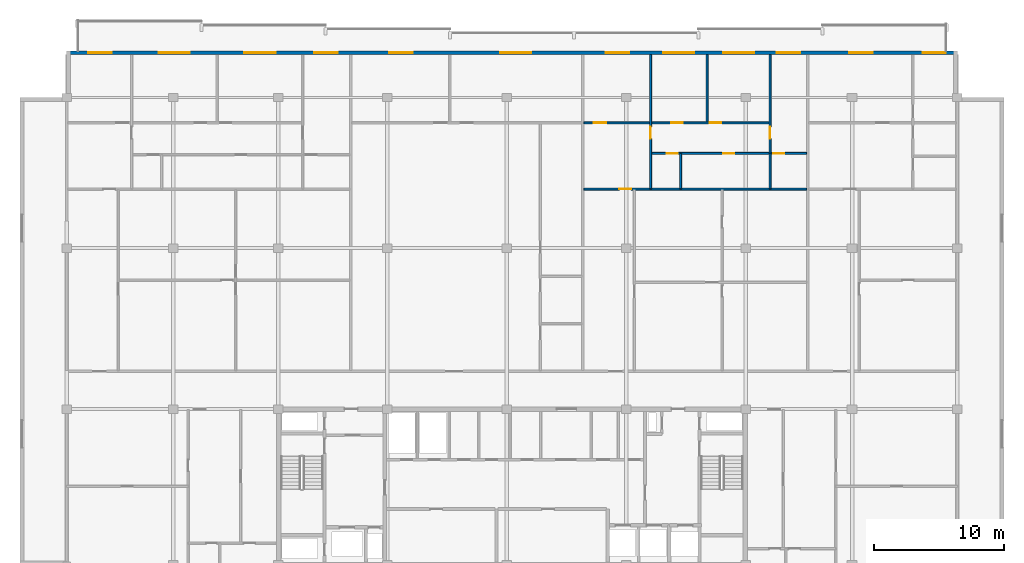
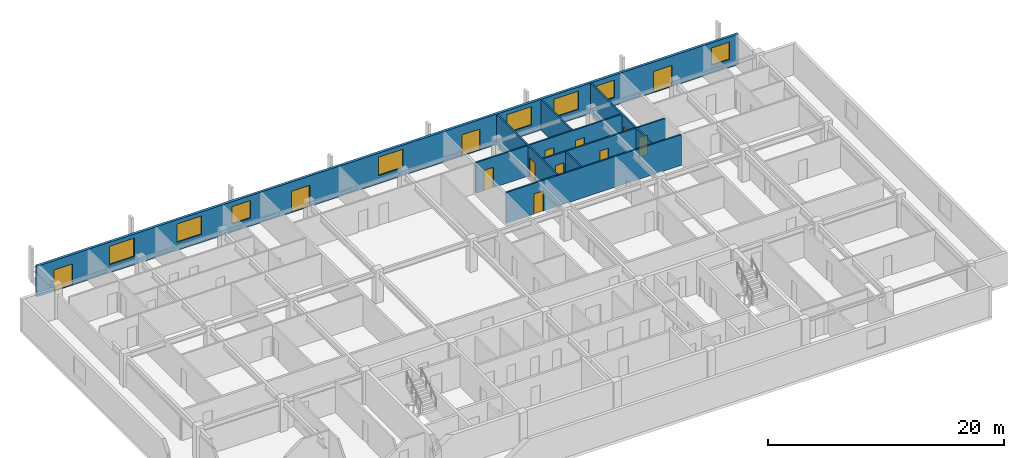
# One storey, part 7 of 10: 13 doors, 9 walls, 8 windows, 21 openings.
"""IFC4 building model written with IfcOpenShell, lengths in metres."""

from ifc_helpers import new_model, si_unit, direction, frame, frame_2d, origin, place, context, subcontext, project, spatial, rectangle, extrude, material, layer, layer_set, type_object, element, fill, save


model = new_model("IFC4")

# Units and contexts
model_context = context("Model", 3, precision=1e-05, world=origin(), true_north=direction((0.0, 1.0)))
body_context = subcontext(model_context, "Body", "Model", "MODEL_VIEW")
ifc_project = project(units=[si_unit("LENGTHUNIT", "METRE"), si_unit("AREAUNIT", "SQUARE_METRE"), si_unit("VOLUMEUNIT", "CUBIC_METRE"), si_unit("PLANEANGLEUNIT", "RADIAN"), si_unit("MASSUNIT", "GRAM", prefix="KILO")], contexts=[model_context])

# Site, building, storey
site_placement = place(None, origin())
site = spatial("IfcSite", under=ifc_project, at=site_placement, CompositionType="ELEMENT")
building_placement = place(site_placement, origin())
building = spatial("IfcBuilding", under=site, at=building_placement, Name="Korimba Cascade Residences", CompositionType="ELEMENT")
storey_placement = place(building_placement, frame((0.0, 0.0, 232.10009765625)))
storey = spatial("IfcBuildingStorey", under=building, at=storey_placement, Name="L67", CompositionType="ELEMENT", Elevation=232.10009765625)

# Wall, openings, doors, windows
ifc_material_1 = material(Name="Precast concrete C40/50", Category="concrete")
ifc_layer_1 = layer(ifc_material_1, 0.25)
ifc_layer_set_1 = layer_set([ifc_layer_1], Name="Precast concrete C40/50")
wall_type_1 = type_object("IfcWallType", Name="EW-LOG-250", PredefinedType="STANDARD", material=ifc_layer_set_1)
wall_1_placement = place(storey_placement, frame((128.39990234375, 94.64990234375, 0.0), z_axis=(0.0, 0.0, 1.0), x_axis=(-1.0, 0.0, 0.0)))
wall_1 = element("IfcWall", 1, at=wall_1_placement, inside=storey, type_object=wall_type_1, Name="L67 T1 Perimeter Stone Wall E06", PredefinedType="STANDARD", context=body_context, shape_type="SweptSolid", body=[
    extrude(rectangle(XDim=68.599853515625, YDim=0.25, at=frame_2d((34.2998046875, 0.0))), origin(), (0.0, 0.0, 1.0), 3.169921875),
])
opening_1_placement = place(wall_1_placement, frame((59.10498046875, 0.0, 0.85009765625)))
opening_1 = element("IfcOpeningElement", 2, at=opening_1_placement, cuts=wall_1, Name="Opening W-01", PredefinedType="OPENING", context=body_context, shape_type="SweptSolid", body=[
    extrude(rectangle(XDim=2.39990234375, YDim=1.89990234375, at=frame_2d((1.199951171875, 0.949951171875))), frame((0.0, 0.135009765625, 0.0), z_axis=(0.0, -1.0, 0.0), x_axis=(1.0, 0.0, 0.0)), (0.0, 0.0, 1.0), 0.27001953125),
])
opening_2_placement = place(wall_1_placement, frame((52.514892578125, 0.0, 0.85009765625)))
opening_2 = element("IfcOpeningElement", 3, at=opening_2_placement, cuts=wall_1, Name="Opening W-01", PredefinedType="OPENING", context=body_context, shape_type="SweptSolid", body=[
    extrude(rectangle(XDim=2.39990234375, YDim=1.89990234375, at=frame_2d((1.199951171875, 0.949951171875))), frame((0.0, 0.135009765625, 0.0), z_axis=(0.0, -1.0, 0.0), x_axis=(1.0, 0.0, 0.0)), (0.0, 0.0, 1.0), 0.27001953125),
])
opening_3_placement = place(wall_1_placement, frame((65.139892578125, 0.0, 0.0)))
opening_3 = element("IfcOpeningElement", 4, at=opening_3_placement, cuts=wall_1, Name="Opening D-LG1", PredefinedType="OPENING", context=body_context, shape_type="SweptSolid", body=[
    extrude(rectangle(XDim=1.800048828125, YDim=2.199951171875, at=frame_2d((0.89990234375, 1.10009765625))), frame((0.0, 0.135009765625, 0.0), z_axis=(0.0, -1.0, 0.0), x_axis=(1.0, 0.0, 0.0)), (0.0, 0.0, 1.0), 0.27001953125),
])
opening_4_placement = place(wall_1_placement, frame((47.726318359375, 0.0, 0.85009765625)))
opening_4 = element("IfcOpeningElement", 5, at=opening_4_placement, cuts=wall_1, Name="Opening W-02", PredefinedType="OPENING", context=body_context, shape_type="SweptSolid", body=[
    extrude(rectangle(XDim=1.800048828125, YDim=1.800048828125, at=frame_2d((0.89990234375, 0.89990234375))), frame((0.0, 0.135009765625, 0.0), z_axis=(0.0, -1.0, 0.0), x_axis=(1.0, 0.0, 0.0)), (0.0, 0.0, 1.0), 0.27001953125),
])
opening_5_placement = place(wall_1_placement, frame((41.938232421875, 0.0, 0.0)))
opening_5 = element("IfcOpeningElement", 6, at=opening_5_placement, cuts=wall_1, Name="Opening D-LG1", PredefinedType="OPENING", context=body_context, shape_type="SweptSolid", body=[
    extrude(rectangle(XDim=1.800048828125, YDim=2.199951171875, at=frame_2d((0.89990234375, 1.10009765625))), frame((0.0, 0.135009765625, 0.0), z_axis=(0.0, -1.0, 0.0), x_axis=(1.0, 0.0, 0.0)), (0.0, 0.0, 1.0), 0.27001953125),
])
opening_6_placement = place(wall_1_placement, frame((32.823974609375, 0.0, 0.85009765625)))
opening_6 = element("IfcOpeningElement", 7, at=opening_6_placement, cuts=wall_1, Name="Opening W-01", PredefinedType="OPENING", context=body_context, shape_type="SweptSolid", body=[
    extrude(rectangle(XDim=2.39990234375, YDim=1.89990234375, at=frame_2d((1.199951171875, 0.949951171875))), frame((0.0, 0.135009765625, 0.0), z_axis=(0.0, -1.0, 0.0), x_axis=(1.0, 0.0, 0.0)), (0.0, 0.0, 1.0), 0.27001953125),
])
opening_7_placement = place(wall_1_placement, frame((20.2451171875, 0.0, 0.85009765625)))
opening_7 = element("IfcOpeningElement", 8, at=opening_7_placement, cuts=wall_1, Name="Opening W-01", PredefinedType="OPENING", context=body_context, shape_type="SweptSolid", body=[
    extrude(rectangle(XDim=2.39990234375, YDim=1.89990234375, at=frame_2d((1.199951171875, 0.949951171875))), frame((0.0, 0.135009765625, 0.0), z_axis=(0.0, -1.0, 0.0), x_axis=(1.0, 0.0, 0.0)), (0.0, 0.0, 1.0), 0.27001953125),
])
opening_8_placement = place(wall_1_placement, frame((15.64501953125, 0.0, 0.85009765625)))
opening_8 = element("IfcOpeningElement", 9, at=opening_8_placement, cuts=wall_1, Name="Opening W-01", PredefinedType="OPENING", context=body_context, shape_type="SweptSolid", body=[
    extrude(rectangle(XDim=2.39990234375, YDim=1.89990234375, at=frame_2d((1.199951171875, 0.949951171875))), frame((0.0, 0.135009765625, 0.0), z_axis=(0.0, -1.0, 0.0), x_axis=(1.0, 0.0, 0.0)), (0.0, 0.0, 1.0), 0.27001953125),
])
opening_9_placement = place(wall_1_placement, frame((25.272216796875, 0.0, 0.0)))
opening_9 = element("IfcOpeningElement", 10, at=opening_9_placement, cuts=wall_1, Name="Opening D-LG1", PredefinedType="OPENING", context=body_context, shape_type="SweptSolid", body=[
    extrude(rectangle(XDim=1.800048828125, YDim=2.199951171875, at=frame_2d((0.89990234375, 1.10009765625))), frame((0.0, 0.135009765625, 0.0), z_axis=(0.0, -1.0, 0.0), x_axis=(1.0, 0.0, 0.0)), (0.0, 0.0, 1.0), 0.27001953125),
])
opening_10_placement = place(wall_1_placement, frame((12.110107421875, 0.0, 0.85009765625)))
opening_10 = element("IfcOpeningElement", 11, at=opening_10_placement, cuts=wall_1, Name="Opening W-02", PredefinedType="OPENING", context=body_context, shape_type="SweptSolid", body=[
    extrude(rectangle(XDim=1.800048828125, YDim=1.800048828125, at=frame_2d((0.89990234375, 0.89990234375))), frame((0.0, 0.135009765625, 0.0), z_axis=(0.0, -1.0, 0.0), x_axis=(1.0, 0.0, 0.0)), (0.0, 0.0, 1.0), 0.27001953125),
])
opening_11_placement = place(wall_1_placement, frame((6.51513671875, 0.0, 0.0)))
opening_11 = element("IfcOpeningElement", 12, at=opening_11_placement, cuts=wall_1, Name="Opening D-LG1", PredefinedType="OPENING", context=body_context, shape_type="SweptSolid", body=[
    extrude(rectangle(XDim=1.800048828125, YDim=2.199951171875, at=frame_2d((0.89990234375, 1.10009765625))), frame((0.0, 0.135009765625, 0.0), z_axis=(0.0, -1.0, 0.0), x_axis=(1.0, 0.0, 0.0)), (0.0, 0.0, 1.0), 0.27001953125),
])
opening_12_placement = place(wall_1_placement, frame((0.8701171875, 0.0, 0.85009765625)))
opening_12 = element("IfcOpeningElement", 13, at=opening_12_placement, cuts=wall_1, Name="Opening W-02", PredefinedType="OPENING", context=body_context, shape_type="SweptSolid", body=[
    extrude(rectangle(XDim=1.800048828125, YDim=1.800048828125, at=frame_2d((0.89990234375, 0.89990234375))), frame((0.0, 0.135009765625, 0.0), z_axis=(0.0, -1.0, 0.0), x_axis=(1.0, 0.0, 0.0)), (0.0, 0.0, 1.0), 0.27001953125),
])
ifc_material_2 = material(Name="Glazed Aluminium Loggia Sliding Door", Category="aluminium")
door_type_1 = type_object("IfcDoorType", Name="DR-EXT-LOG", OperationType="NOTDEFINED", PredefinedType="DOOR", material=ifc_material_2)
door_1_placement = place(opening_3_placement, origin())
door_1 = element("IfcDoor", 14, at=door_1_placement, inside=storey, type_object=door_type_1, Name="L67 T1 Loggia Sliding Door 5", OperationType="SLIDING_TO_LEFT", OverallHeight=2.199951171875, OverallWidth=1.800048828125, PredefinedType="DOOR", context=body_context, shape_type="SweptSolid", body=[
    extrude(rectangle(XDim=1.800048828125, YDim=2.199951171875, at=frame_2d((0.89990234375, 1.10009765625))), frame((0.0, 0.02490234375, 0.0), z_axis=(0.0, -1.0, 0.0), x_axis=(1.0, 0.0, 0.0)), (0.0, 0.0, 1.0), 0.050048828125),
])
fill(opening_3, door_1)
door_2_placement = place(opening_5_placement, origin())
door_2 = element("IfcDoor", 15, at=door_2_placement, inside=storey, type_object=door_type_1, Name="L67 T1 Loggia Sliding Door 7", OperationType="SLIDING_TO_LEFT", OverallHeight=2.199951171875, OverallWidth=1.800048828125, PredefinedType="DOOR", context=body_context, shape_type="SweptSolid", body=[
    extrude(rectangle(XDim=1.800048828125, YDim=2.199951171875, at=frame_2d((0.89990234375, 1.10009765625))), frame((0.0, 0.02490234375, 0.0), z_axis=(0.0, -1.0, 0.0), x_axis=(1.0, 0.0, 0.0)), (0.0, 0.0, 1.0), 0.050048828125),
])
fill(opening_5, door_2)
door_3_placement = place(opening_9_placement, origin())
door_3 = element("IfcDoor", 16, at=door_3_placement, inside=storey, type_object=door_type_1, Name="L67 T1 Loggia Sliding Door 11", OperationType="SLIDING_TO_LEFT", OverallHeight=2.199951171875, OverallWidth=1.800048828125, PredefinedType="DOOR", context=body_context, shape_type="SweptSolid", body=[
    extrude(rectangle(XDim=1.800048828125, YDim=2.199951171875, at=frame_2d((0.89990234375, 1.10009765625))), frame((0.0, 0.02490234375, 0.0), z_axis=(0.0, -1.0, 0.0), x_axis=(1.0, 0.0, 0.0)), (0.0, 0.0, 1.0), 0.050048828125),
])
fill(opening_9, door_3)
door_4_placement = place(opening_11_placement, origin())
door_4 = element("IfcDoor", 17, at=door_4_placement, inside=storey, type_object=door_type_1, Name="L67 T1 Loggia Sliding Door 13", OperationType="SLIDING_TO_LEFT", OverallHeight=2.199951171875, OverallWidth=1.800048828125, PredefinedType="DOOR", context=body_context, shape_type="SweptSolid", body=[
    extrude(rectangle(XDim=1.800048828125, YDim=2.199951171875, at=frame_2d((0.89990234375, 1.10009765625))), frame((0.0, 0.02490234375, 0.0), z_axis=(0.0, -1.0, 0.0), x_axis=(1.0, 0.0, 0.0)), (0.0, 0.0, 1.0), 0.050048828125),
])
fill(opening_11, door_4)
ifc_material_3 = material(Name="Double-Glazed Aluminium Window", Category="aluminium")
window_type_1 = type_object("IfcWindowType", Name="WIN-BED-1800", PartitioningType="SINGLE_PANEL", PredefinedType="WINDOW", material=ifc_material_3)
window_1_placement = place(opening_4_placement, origin())
window_1 = element("IfcWindow", 18, at=window_1_placement, inside=storey, type_object=window_type_1, Name="L67 T1 North Facade Window 6", OverallHeight=1.800048828125, OverallWidth=1.800048828125, PartitioningType="SINGLE_PANEL", PredefinedType="WINDOW", context=body_context, shape_type="SweptSolid", body=[
    extrude(rectangle(XDim=1.800048828125, YDim=1.800048828125, at=frame_2d((0.89990234375, 0.89990234375))), frame((0.0, 0.030029296875, 0.0), z_axis=(0.0, -1.0, 0.0), x_axis=(1.0, 0.0, 0.0)), (0.0, 0.0, 1.0), 0.06005859375),
])
fill(opening_4, window_1)
window_2_placement = place(opening_10_placement, origin())
window_2 = element("IfcWindow", 19, at=window_2_placement, inside=storey, type_object=window_type_1, Name="L67 T1 North Facade Window 12", OverallHeight=1.800048828125, OverallWidth=1.800048828125, PartitioningType="SINGLE_PANEL", PredefinedType="WINDOW", context=body_context, shape_type="SweptSolid", body=[
    extrude(rectangle(XDim=1.800048828125, YDim=1.800048828125, at=frame_2d((0.89990234375, 0.89990234375))), frame((0.0, 0.030029296875, 0.0), z_axis=(0.0, -1.0, 0.0), x_axis=(1.0, 0.0, 0.0)), (0.0, 0.0, 1.0), 0.06005859375),
])
fill(opening_10, window_2)
window_3_placement = place(opening_12_placement, origin())
window_3 = element("IfcWindow", 20, at=window_3_placement, inside=storey, type_object=window_type_1, Name="L67 T1 North Facade Window 14", OverallHeight=1.800048828125, OverallWidth=1.800048828125, PartitioningType="SINGLE_PANEL", PredefinedType="WINDOW", context=body_context, shape_type="SweptSolid", body=[
    extrude(rectangle(XDim=1.800048828125, YDim=1.800048828125, at=frame_2d((0.89990234375, 0.89990234375))), frame((0.0, 0.030029296875, 0.0), z_axis=(0.0, -1.0, 0.0), x_axis=(1.0, 0.0, 0.0)), (0.0, 0.0, 1.0), 0.06005859375),
])
fill(opening_12, window_3)
window_type_2 = type_object("IfcWindowType", Name="WIN-RES-2400", PartitioningType="DOUBLE_PANEL_VERTICAL", PredefinedType="WINDOW", material=ifc_material_3)
window_4_placement = place(opening_1_placement, origin())
window_4 = element("IfcWindow", 21, at=window_4_placement, inside=storey, type_object=window_type_2, Name="L67 T1 North Facade Window 3", OverallHeight=1.89990234375, OverallWidth=2.39990234375, PartitioningType="DOUBLE_PANEL_VERTICAL", PredefinedType="WINDOW", context=body_context, shape_type="SweptSolid", body=[
    extrude(rectangle(XDim=2.39990234375, YDim=1.89990234375, at=frame_2d((1.199951171875, 0.949951171875))), frame((0.0, 0.030029296875, 0.0), z_axis=(0.0, -1.0, 0.0), x_axis=(1.0, 0.0, 0.0)), (0.0, 0.0, 1.0), 0.06005859375),
])
fill(opening_1, window_4)
window_5_placement = place(opening_2_placement, origin())
window_5 = element("IfcWindow", 22, at=window_5_placement, inside=storey, type_object=window_type_2, Name="L67 T1 North Facade Window 4", OverallHeight=1.89990234375, OverallWidth=2.39990234375, PartitioningType="DOUBLE_PANEL_VERTICAL", PredefinedType="WINDOW", context=body_context, shape_type="SweptSolid", body=[
    extrude(rectangle(XDim=2.39990234375, YDim=1.89990234375, at=frame_2d((1.199951171875, 0.949951171875))), frame((0.0, 0.030029296875, 0.0), z_axis=(0.0, -1.0, 0.0), x_axis=(1.0, 0.0, 0.0)), (0.0, 0.0, 1.0), 0.06005859375),
])
fill(opening_2, window_5)
window_6_placement = place(opening_6_placement, origin())
window_6 = element("IfcWindow", 23, at=window_6_placement, inside=storey, type_object=window_type_2, Name="L67 T1 North Facade Window 8", OverallHeight=1.89990234375, OverallWidth=2.39990234375, PartitioningType="DOUBLE_PANEL_VERTICAL", PredefinedType="WINDOW", context=body_context, shape_type="SweptSolid", body=[
    extrude(rectangle(XDim=2.39990234375, YDim=1.89990234375, at=frame_2d((1.199951171875, 0.949951171875))), frame((0.0, 0.030029296875, 0.0), z_axis=(0.0, -1.0, 0.0), x_axis=(1.0, 0.0, 0.0)), (0.0, 0.0, 1.0), 0.06005859375),
])
fill(opening_6, window_6)
window_7_placement = place(opening_7_placement, origin())
window_7 = element("IfcWindow", 24, at=window_7_placement, inside=storey, type_object=window_type_2, Name="L67 T1 North Facade Window 9", OverallHeight=1.89990234375, OverallWidth=2.39990234375, PartitioningType="DOUBLE_PANEL_VERTICAL", PredefinedType="WINDOW", context=body_context, shape_type="SweptSolid", body=[
    extrude(rectangle(XDim=2.39990234375, YDim=1.89990234375, at=frame_2d((1.199951171875, 0.949951171875))), frame((0.0, 0.030029296875, 0.0), z_axis=(0.0, -1.0, 0.0), x_axis=(1.0, 0.0, 0.0)), (0.0, 0.0, 1.0), 0.06005859375),
])
fill(opening_7, window_7)
window_8_placement = place(opening_8_placement, origin())
window_8 = element("IfcWindow", 25, at=window_8_placement, inside=storey, type_object=window_type_2, Name="L67 T1 North Facade Window 10", OverallHeight=1.89990234375, OverallWidth=2.39990234375, PartitioningType="DOUBLE_PANEL_VERTICAL", PredefinedType="WINDOW", context=body_context, shape_type="SweptSolid", body=[
    extrude(rectangle(XDim=2.39990234375, YDim=1.89990234375, at=frame_2d((1.199951171875, 0.949951171875))), frame((0.0, 0.030029296875, 0.0), z_axis=(0.0, -1.0, 0.0), x_axis=(1.0, 0.0, 0.0)), (0.0, 0.0, 1.0), 0.06005859375),
])
fill(opening_8, window_8)

# Walls
ifc_material_4 = material(Name="Insulated Acoustic Stud Partition", Category="gypsum")
ifc_layer_2 = layer(ifc_material_4, 0.14990234375)
ifc_layer_set_2 = layer_set([ifc_layer_2], Name="Insulated Acoustic Stud Partition")
wall_type_2 = type_object("IfcWallType", Name="WAL-PART-150", PredefinedType="PARTITIONING", material=ifc_layer_set_2)
wall_2_placement = place(storey_placement, frame((107.090087890625, 84.18994140625, 0.0), z_axis=(0.0, 0.0, 1.0), x_axis=(0.0, 1.0, 0.0)))
element("IfcWall", 26, at=wall_2_placement, inside=storey, type_object=wall_type_2, Name="L67 Partition Wall WAL-L67-T1-U03-VDRS", PredefinedType="PARTITIONING", context=body_context, shape_type="SweptSolid", body=[
    extrude(rectangle(XDim=2.68994140625, YDim=0.14990234375, at=frame_2d((1.344970703125, 0.0))), origin(), (0.0, 0.0, 1.0), 3.169921875),
])
wall_3_placement = place(storey_placement, frame((109.1298828125, 89.330078125, 0.0), z_axis=(0.0, 0.0, 1.0), x_axis=(0.0, 1.0, 0.0)))
element("IfcWall", 27, at=wall_3_placement, inside=storey, type_object=wall_type_2, Name="L67 Partition Wall WAL-L67-T1-U03-VSTD", PredefinedType="PARTITIONING", context=body_context, shape_type="SweptSolid", body=[
    extrude(rectangle(XDim=5.169921875, YDim=0.14990234375, at=frame_2d((2.5849609375, 0.0))), origin(), (0.0, 0.0, 1.0), 3.169921875),
])

# Wall, opening, door
wall_4_placement = place(storey_placement, frame((104.780029296875, 84.18994140625, 0.0), z_axis=(0.0, 0.0, 1.0), x_axis=(0.0, 1.0, 0.0)))
wall_4 = element("IfcWall", 28, at=wall_4_placement, inside=storey, type_object=wall_type_2, Name="L67 Partition Wall WAL-L67-T1-U03-V1", PredefinedType="PARTITIONING", context=body_context, shape_type="SweptSolid", body=[
    extrude(rectangle(XDim=10.31005859375, YDim=0.14990234375, at=frame_2d((5.155029296875, 0.0))), origin(), (0.0, 0.0, 1.0), 3.169921875),
])
opening_13_placement = place(wall_4_placement, frame((3.820068359375, 0.0, 0.0)))
opening_13 = element("IfcOpeningElement", 29, at=opening_13_placement, cuts=wall_4, Name="Opening D-IN1", PredefinedType="OPENING", context=body_context, shape_type="SweptSolid", body=[
    extrude(rectangle(XDim=0.919921875, YDim=2.080078125, at=frame_2d((0.4599609375, 1.0400390625))), frame((0.0, 0.0849609375, 0.0), z_axis=(0.0, -1.0, 0.0), x_axis=(1.0, 0.0, 0.0)), (0.0, 0.0, 1.0), 0.169921875),
])
ifc_material_5 = material(Name="Acoustic Timber Living Door", Category="wood")
door_type_2 = type_object("IfcDoorType", Name="DR-INT-920", OperationType="NOTDEFINED", PredefinedType="DOOR", material=ifc_material_5)
door_5_placement = place(opening_13_placement, origin())
door_5 = element("IfcDoor", 30, at=door_5_placement, inside=storey, type_object=door_type_2, Name="L67-T1-U03 Hallway Door", OperationType="SINGLE_SWING_RIGHT", OverallHeight=2.080078125, OverallWidth=0.919921875, PredefinedType="DOOR", context=body_context, shape_type="SweptSolid", body=[
    extrude(rectangle(XDim=0.919921875, YDim=2.080078125, at=frame_2d((0.4599609375, 1.0400390625))), frame((0.0, 0.02490234375, 0.0), z_axis=(0.0, -1.0, 0.0), x_axis=(1.0, 0.0, 0.0)), (0.0, 0.0, 1.0), 0.050048828125),
])
fill(opening_13, door_5)

# Wall
wall_5_placement = place(storey_placement, frame((113.97998046875, 84.18994140625, 0.0), z_axis=(0.0, 0.0, 1.0), x_axis=(0.0, 1.0, 0.0)))
element("IfcWall", 31, at=wall_5_placement, inside=storey, type_object=wall_type_2, Name="L67 Partition Wall WAL-L67-T1-U03-VBATH", PredefinedType="PARTITIONING", context=body_context, shape_type="SweptSolid", body=[
    extrude(rectangle(XDim=2.68994140625, YDim=0.14990234375, at=frame_2d((1.344970703125, 0.0))), origin(), (0.0, 0.0, 1.0), 3.169921875),
])

# Wall, opening, door
wall_6_placement = place(storey_placement, frame((113.97998046875, 86.919921875, 0.0), z_axis=(0.0, 0.0, 1.0), x_axis=(0.0, 1.0, 0.0)))
wall_6 = element("IfcWall", 32, at=wall_6_placement, inside=storey, type_object=wall_type_2, Name="L67 Partition Wall WAL-L67-T1-U03-V2FULL", PredefinedType="PARTITIONING", context=body_context, shape_type="SweptSolid", body=[
    extrude(rectangle(XDim=7.580078125, YDim=0.14990234375, at=frame_2d((3.7900390625, 0.0))), origin(), (0.0, 0.0, 1.0), 3.169921875),
])
opening_14_placement = place(wall_6_placement, frame((1.090087890625, 0.0, 0.0)))
opening_14 = element("IfcOpeningElement", 33, at=opening_14_placement, cuts=wall_6, Name="Opening D-IN1", PredefinedType="OPENING", context=body_context, shape_type="SweptSolid", body=[
    extrude(rectangle(XDim=0.919921875, YDim=2.080078125, at=frame_2d((0.4599609375, 1.0400390625))), frame((0.0, 0.0849609375, 0.0), z_axis=(0.0, -1.0, 0.0), x_axis=(1.0, 0.0, 0.0)), (0.0, 0.0, 1.0), 0.169921875),
])
door_6_placement = place(opening_14_placement, origin())
door_6 = element("IfcDoor", 34, at=door_6_placement, inside=storey, type_object=door_type_2, Name="L67-T1-U03 Master Bedroom Door", OperationType="SINGLE_SWING_LEFT", OverallHeight=2.080078125, OverallWidth=0.919921875, PredefinedType="DOOR", context=body_context, shape_type="SweptSolid", body=[
    extrude(rectangle(XDim=0.919921875, YDim=2.080078125, at=frame_2d((0.4599609375, 1.0400390625))), frame((0.0, 0.02490234375, 0.0), z_axis=(0.0, -1.0, 0.0), x_axis=(1.0, 0.0, 0.0)), (0.0, 0.0, 1.0), 0.050048828125),
])
fill(opening_14, door_6)

# Wall, openings, doors
wall_7_placement = place(storey_placement, frame((104.820068359375, 86.89990234375, 0.0), z_axis=(0.0, 0.0, 1.0), x_axis=(1.0, 0.0, 0.0)))
wall_7 = element("IfcWall", 35, at=wall_7_placement, inside=storey, type_object=wall_type_2, Name="L67 Partition Wall WAL-L67-T1-U03-HWALL", PredefinedType="PARTITIONING", context=body_context, shape_type="SweptSolid", body=[
    extrude(rectangle(XDim=11.969482421875, YDim=0.14990234375, at=frame_2d((5.98486328125, 0.0))), origin(), (0.0, 0.0, 1.0), 3.169921875),
])
opening_15_placement = place(wall_7_placement, frame((1.2099609375, 0.0, 0.0)))
opening_15 = element("IfcOpeningElement", 36, at=opening_15_placement, cuts=wall_7, Name="Opening D-BT1", PredefinedType="OPENING", context=body_context, shape_type="SweptSolid", body=[
    extrude(rectangle(XDim=0.840087890625, YDim=2.0400390625, at=frame_2d((0.419921875, 1.02001953125))), frame((0.0, 0.0849609375, 0.0), z_axis=(0.0, -1.0, 0.0), x_axis=(1.0, 0.0, 0.0)), (0.0, 0.0, 1.0), 0.169921875),
])
opening_16_placement = place(wall_7_placement, frame((5.564697265625, 0.0, 0.0)))
opening_16 = element("IfcOpeningElement", 37, at=opening_16_placement, cuts=wall_7, Name="Opening D-BT1", PredefinedType="OPENING", context=body_context, shape_type="SweptSolid", body=[
    extrude(rectangle(XDim=0.840087890625, YDim=2.0400390625, at=frame_2d((0.419921875, 1.02001953125))), frame((0.0, 0.0849609375, 0.0), z_axis=(0.0, -1.0, 0.0), x_axis=(1.0, 0.0, 0.0)), (0.0, 0.0, 1.0), 0.169921875),
])
opening_17_placement = place(wall_7_placement, frame((9.409912109375, 0.0, 0.0)))
opening_17 = element("IfcOpeningElement", 38, at=opening_17_placement, cuts=wall_7, Name="Opening D-BT1", PredefinedType="OPENING", context=body_context, shape_type="SweptSolid", body=[
    extrude(rectangle(XDim=0.840087890625, YDim=2.0400390625, at=frame_2d((0.419921875, 1.02001953125))), frame((0.0, 0.0849609375, 0.0), z_axis=(0.0, -1.0, 0.0), x_axis=(1.0, 0.0, 0.0)), (0.0, 0.0, 1.0), 0.169921875),
])
ifc_material_6 = material(Name="Moisture-Resistant Bathroom Timber Door", Category="wood")
door_type_3 = type_object("IfcDoorType", Name="DR-INT-850", OperationType="NOTDEFINED", PredefinedType="DOOR", material=ifc_material_6)
door_7_placement = place(opening_15_placement, origin())
door_7 = element("IfcDoor", 39, at=door_7_placement, inside=storey, type_object=door_type_3, Name="L67-T1-U03 Family Bathroom Door", OperationType="SINGLE_SWING_RIGHT", OverallHeight=2.0400390625, OverallWidth=0.840087890625, PredefinedType="DOOR", context=body_context, shape_type="SweptSolid", body=[
    extrude(rectangle(XDim=0.840087890625, YDim=2.0400390625, at=frame_2d((0.419921875, 1.02001953125))), frame((0.0, 0.02490234375, 0.0), z_axis=(0.0, -1.0, 0.0), x_axis=(1.0, 0.0, 0.0)), (0.0, 0.0, 1.0), 0.050048828125),
])
fill(opening_15, door_7)
door_8_placement = place(opening_16_placement, origin())
door_8 = element("IfcDoor", 40, at=door_8_placement, inside=storey, type_object=door_type_3, Name="L67-T1-U03 Dressing Room Door", OperationType="SINGLE_SWING_LEFT", OverallHeight=2.0400390625, OverallWidth=0.840087890625, PredefinedType="DOOR", context=body_context, shape_type="SweptSolid", body=[
    extrude(rectangle(XDim=0.840087890625, YDim=2.0400390625, at=frame_2d((0.419921875, 1.02001953125))), frame((0.0, 0.02490234375, 0.0), z_axis=(0.0, -1.0, 0.0), x_axis=(1.0, 0.0, 0.0)), (0.0, 0.0, 1.0), 0.050048828125),
])
fill(opening_16, door_8)
door_9_placement = place(opening_17_placement, origin())
door_9 = element("IfcDoor", 41, at=door_9_placement, inside=storey, type_object=door_type_3, Name="L67-T1-U03 En-Suite Door", OperationType="SINGLE_SWING_RIGHT", OverallHeight=2.0400390625, OverallWidth=0.840087890625, PredefinedType="DOOR", context=body_context, shape_type="SweptSolid", body=[
    extrude(rectangle(XDim=0.840087890625, YDim=2.0400390625, at=frame_2d((0.419921875, 1.02001953125))), frame((0.0, 0.02490234375, 0.0), z_axis=(0.0, -1.0, 0.0), x_axis=(1.0, 0.0, 0.0)), (0.0, 0.0, 1.0), 0.050048828125),
])
fill(opening_17, door_9)

# Wall, opening, door
wall_8_placement = place(storey_placement, frame((99.635498046875, 84.14990234375, 0.0), z_axis=(0.0, 0.0, 1.0), x_axis=(1.0, 0.0, 0.0)))
wall_8 = element("IfcWall", 42, at=wall_8_placement, inside=storey, type_object=wall_type_2, Name="L67 Partition Wall WAL-L67-T1-U03-MW", PredefinedType="PARTITIONING", context=body_context, shape_type="SweptSolid", body=[
    extrude(rectangle(XDim=17.154052734375, YDim=0.14990234375, at=frame_2d((8.5771484375, 0.0))), origin(), (0.0, 0.0, 1.0), 3.169921875),
])
opening_18_placement = place(wall_8_placement, frame((2.719970703125, 0.0, 0.0)))
opening_18 = element("IfcOpeningElement", 43, at=opening_18_placement, cuts=wall_8, Name="Opening D-IN1", PredefinedType="OPENING", context=body_context, shape_type="SweptSolid", body=[
    extrude(rectangle(XDim=0.919921875, YDim=2.080078125, at=frame_2d((0.4599609375, 1.0400390625))), frame((0.0, 0.0849609375, 0.0), z_axis=(0.0, -1.0, 0.0), x_axis=(1.0, 0.0, 0.0)), (0.0, 0.0, 1.0), 0.169921875),
])
door_10_placement = place(opening_18_placement, origin())
door_10 = element("IfcDoor", 44, at=door_10_placement, inside=storey, type_object=door_type_2, Name="L67-T1-U03 Kitchen Door", OperationType="SINGLE_SWING_LEFT", OverallHeight=2.080078125, OverallWidth=0.919921875, PredefinedType="DOOR", context=body_context, shape_type="SweptSolid", body=[
    extrude(rectangle(XDim=0.919921875, YDim=2.080078125, at=frame_2d((0.4599609375, 1.0400390625))), frame((0.0, 0.02490234375, 0.0), z_axis=(0.0, -1.0, 0.0), x_axis=(1.0, 0.0, 0.0)), (0.0, 0.0, 1.0), 0.050048828125),
])
fill(opening_18, door_10)

# Wall, openings, doors
wall_9_placement = place(storey_placement, frame((99.635498046875, 89.25, 0.0), z_axis=(0.0, 0.0, 1.0), x_axis=(1.0, 0.0, 0.0)))
wall_9 = element("IfcWall", 45, at=wall_9_placement, inside=storey, type_object=wall_type_2, Name="L67 Partition Wall WAL-L67-T1-U03-HZ", PredefinedType="PARTITIONING", context=body_context, shape_type="SweptSolid", body=[
    extrude(rectangle(XDim=14.344482421875, YDim=0.14990234375, at=frame_2d((7.17236328125, 0.0))), origin(), (0.0, 0.0, 1.0), 3.169921875),
])
opening_19_placement = place(wall_9_placement, frame((0.7685546875, 0.0, 0.0)))
opening_19 = element("IfcOpeningElement", 46, at=opening_19_placement, cuts=wall_9, Name="Opening D-IN0", PredefinedType="OPENING", context=body_context, shape_type="SweptSolid", body=[
    extrude(rectangle(XDim=0.93994140625, YDim=2.10009765625, at=frame_2d((0.469970703125, 1.050048828125))), frame((0.0, 0.0849609375, 0.0), z_axis=(0.0, -1.0, 0.0), x_axis=(1.0, 0.0, 0.0)), (0.0, 0.0, 1.0), 0.169921875),
])
opening_20_placement = place(wall_9_placement, frame((6.732177734375, 0.0, 0.0)))
opening_20 = element("IfcOpeningElement", 47, at=opening_20_placement, cuts=wall_9, Name="Opening D-IN2", PredefinedType="OPENING", context=body_context, shape_type="SweptSolid", body=[
    extrude(rectangle(XDim=0.8798828125, YDim=2.06005859375, at=frame_2d((0.43994140625, 1.030029296875))), frame((0.0, 0.0849609375, 0.0), z_axis=(0.0, -1.0, 0.0), x_axis=(1.0, 0.0, 0.0)), (0.0, 0.0, 1.0), 0.169921875),
])
opening_21_placement = place(wall_9_placement, frame((9.71435546875, 0.0, 0.0)))
opening_21 = element("IfcOpeningElement", 48, at=opening_21_placement, cuts=wall_9, Name="Opening D-IN2", PredefinedType="OPENING", context=body_context, shape_type="SweptSolid", body=[
    extrude(rectangle(XDim=0.8798828125, YDim=2.06005859375, at=frame_2d((0.43994140625, 1.030029296875))), frame((0.0, 0.0849609375, 0.0), z_axis=(0.0, -1.0, 0.0), x_axis=(1.0, 0.0, 0.0)), (0.0, 0.0, 1.0), 0.169921875),
])
ifc_material_7 = material(Name="Acoustic Timber Bedroom Door", Category="wood")
door_type_4 = type_object("IfcDoorType", Name="DR-INT-880", OperationType="NOTDEFINED", PredefinedType="DOOR", material=ifc_material_7)
door_11_placement = place(opening_20_placement, origin())
door_11 = element("IfcDoor", 49, at=door_11_placement, inside=storey, type_object=door_type_4, Name="L67-T1-U03 Bedroom 2 Door", OperationType="SINGLE_SWING_LEFT", OverallHeight=2.06005859375, OverallWidth=0.8798828125, PredefinedType="DOOR", context=body_context, shape_type="SweptSolid", body=[
    extrude(rectangle(XDim=0.8798828125, YDim=2.06005859375, at=frame_2d((0.43994140625, 1.030029296875))), frame((0.0, 0.02490234375, 0.0), z_axis=(0.0, -1.0, 0.0), x_axis=(1.0, 0.0, 0.0)), (0.0, 0.0, 1.0), 0.050048828125),
])
fill(opening_20, door_11)
door_12_placement = place(opening_21_placement, origin())
door_12 = element("IfcDoor", 50, at=door_12_placement, inside=storey, type_object=door_type_4, Name="L67-T1-U03 Study Door", OperationType="SINGLE_SWING_RIGHT", OverallHeight=2.06005859375, OverallWidth=0.8798828125, PredefinedType="DOOR", context=body_context, shape_type="SweptSolid", body=[
    extrude(rectangle(XDim=0.8798828125, YDim=2.06005859375, at=frame_2d((0.43994140625, 1.030029296875))), frame((0.0, 0.02490234375, 0.0), z_axis=(0.0, -1.0, 0.0), x_axis=(1.0, 0.0, 0.0)), (0.0, 0.0, 1.0), 0.050048828125),
])
fill(opening_21, door_12)
ifc_material_8 = material(Name="Acoustic Timber Living Archway Door", Category="wood")
door_type_5 = type_object("IfcDoorType", Name="DR-INT-950", OperationType="NOTDEFINED", PredefinedType="DOOR", material=ifc_material_8)
door_13_placement = place(opening_19_placement, origin())
door_13 = element("IfcDoor", 51, at=door_13_placement, inside=storey, type_object=door_type_5, Name="L67-T1-U03 Living Room Door", OperationType="SINGLE_SWING_RIGHT", OverallHeight=2.10009765625, OverallWidth=0.93994140625, PredefinedType="DOOR", context=body_context, shape_type="SweptSolid", body=[
    extrude(rectangle(XDim=0.93994140625, YDim=2.10009765625, at=frame_2d((0.469970703125, 1.050048828125))), frame((0.0, 0.02490234375, 0.0), z_axis=(0.0, -1.0, 0.0), x_axis=(1.0, 0.0, 0.0)), (0.0, 0.0, 1.0), 0.050048828125),
])
fill(opening_19, door_13)

save(model, "model.ifc")
